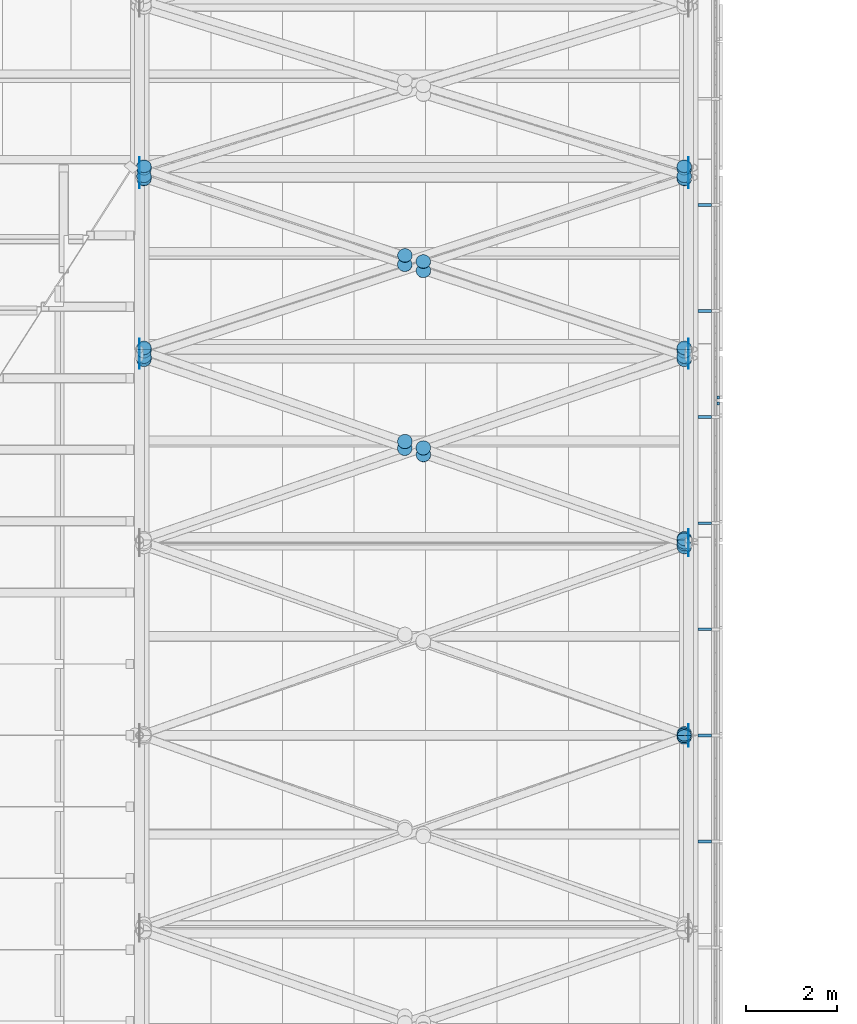
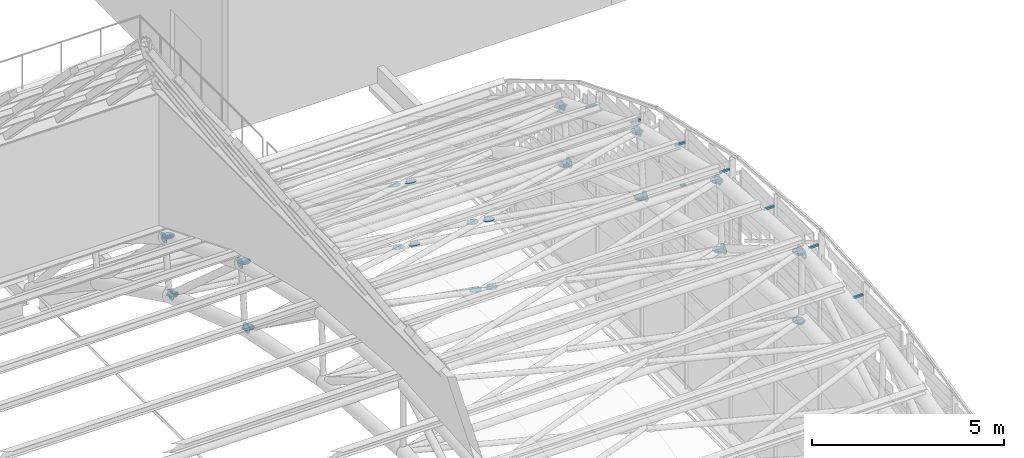
# One storey, part 100 of 110: 65 discrete accessories, 1 element without a shape of its own.
"""IFC4 building model written with IfcOpenShell, lengths in metres."""

from ifc_helpers import new_model, si_unit, direction, frame, origin, origin_2d, place, context, subcontext, project, spatial, rectangle, circle, extrude, material, layer, layer_set, type_object, element, aggregate, save


model = new_model("IFC4")

# Units and contexts
model_context = context("Model", 3, precision=1e-05, world=origin(), true_north=direction((0.0, 1.0)))
body_context = subcontext(model_context, "Body", "Model", "MODEL_VIEW")
ifc_project = project(units=[si_unit("LENGTHUNIT", "METRE"), si_unit("AREAUNIT", "SQUARE_METRE"), si_unit("VOLUMEUNIT", "CUBIC_METRE"), si_unit("PLANEANGLEUNIT", "RADIAN"), si_unit("MASSUNIT", "GRAM", prefix="KILO")], contexts=[model_context])

# Site, building, storey
site_placement = place(None, origin())
site = spatial("IfcSite", under=ifc_project, at=site_placement, CompositionType="ELEMENT")
building_placement = place(site_placement, origin())
building = spatial("IfcBuilding", under=site, at=building_placement, Name="Windward Yard Aquatics Centre", CompositionType="ELEMENT")
storey_placement = place(building_placement, frame((0.0, 0.0, 22.60009765625)))
storey = spatial("IfcBuildingStorey", under=building, at=storey_placement, Name="L05", CompositionType="ELEMENT", Elevation=22.60009765625)

# Discrete accessories
ifc_material_1 = material(Name="Steel S355", Category="steel")
ifc_layer_1 = layer(ifc_material_1, 0.011962890625)
ifc_layer_set_1 = layer_set([ifc_layer_1], Name="Gusset plate 320 mm disc 12 mm")
discrete_accessory_type = type_object("IfcDiscreteAccessoryType", Name="Gusset plate 320 mm disc 12 mm", PredefinedType="USERDEFINED", material=ifc_layer_set_1)
for number, where, z_axis, x_axis, name in (
    (1, (131.993896484375, 69.16943359375, 5.568603515625), (1.0, 0.0, 0.0), (0.0, 1.0, 0.0), "Gusset plate"),
    (2, (131.993896484375, 69.51220703125, 7.4306640625), (1.0, 0.0, 0.0), (0.0, 1.0, 0.0), "Gusset plate"),
    (3, (131.993896484375, 73.122314453125, 4.23291015625), (1.0, 0.0, 0.0), (0.0, 1.0, 0.0), "Gusset plate"),
    (4, (131.993896484375, 73.479736328125, 5.8291015625), (1.0, 0.0, 0.0), (0.0, 1.0, 0.0), "Gusset plate"),
    (5, (143.993896484375, 60.9140625, 8.74560546875), (1.0, 0.0, 0.0), (0.0, 1.0, 0.0), "Gusset plate"),
    (6, (143.993896484375, 61.0859375, 8.74560546875), (1.0, 0.0, 0.0), (0.0, 1.0, 0.0), "Gusset plate"),
    (7, (143.993896484375, 65.07470703125, 6.374755859375), (1.0, 0.0, 0.0), (0.0, 1.0, 0.0), "Gusset plate"),
    (8, (143.993896484375, 65.3486328125, 8.41015625), (1.0, 0.0, 0.0), (0.0, 1.0, 0.0), "Gusset plate"),
    (9, (143.993896484375, 69.16943359375, 5.568603515625), (1.0, 0.0, 0.0), (0.0, 1.0, 0.0), "Gusset plate"),
    (10, (143.993896484375, 69.51220703125, 7.4306640625), (1.0, 0.0, 0.0), (0.0, 1.0, 0.0), "Gusset plate"),
    (11, (143.993896484375, 73.122314453125, 4.23291015625), (1.0, 0.0, 0.0), (0.0, 1.0, 0.0), "Gusset plate"),
    (12, (143.993896484375, 73.479736328125, 5.8291015625), (1.0, 0.0, 0.0), (0.0, 1.0, 0.0), "Gusset plate"),
):
    element("IfcDiscreteAccessory", number, at=place(storey_placement, frame(where, z_axis=z_axis, x_axis=x_axis)), inside=storey, type_object=discrete_accessory_type, Name=name, ObjectType="GUSSET PLATE", PredefinedType="USERDEFINED", context=body_context, shape_type="SweptSolid", body=[
        extrude(circle(Radius=0.159912109375, at=origin_2d()), origin(), (0.0, 0.0, 1.0), 0.01220703125),
    ])
for number, where, z_axis, x_axis, name in (
    (13, (143.89990234375, 61.0, 8.790771484375), (0.0, 0.0, 1.0), (1.0, 0.0, 0.0), "Gusset plate"),
    (14, (143.89990234375, 65.2685546875, 8.4638671875), (0.0, 0.0, 1.0), (1.0, 0.0, 0.0), "Gusset plate"),
):
    element("IfcDiscreteAccessory", number, at=place(storey_placement, frame(where, z_axis=z_axis, x_axis=x_axis)), inside=storey, type_object=discrete_accessory_type, Name=name, ObjectType="GUSSET PLATE", PredefinedType="USERDEFINED", context=body_context, shape_type="SweptSolid", body=[
        extrude(circle(Radius=0.159912109375, at=origin_2d()), origin(), (0.0, 0.0, 1.0), 0.011962890625),
    ])
for number, where, z_axis, x_axis, name in (
    (15, (132.10009765625, 69.4375, 7.49072265625), (0.0, 0.0, 1.0), (1.0, 0.0, 0.0), "Gusset plate"),
    (16, (143.89990234375, 69.4375, 7.49072265625), (0.0, 0.0, 1.0), (1.0, 0.0, 0.0), "Gusset plate"),
):
    element("IfcDiscreteAccessory", number, at=place(storey_placement, frame(where, z_axis=z_axis, x_axis=x_axis)), inside=storey, type_object=discrete_accessory_type, Name=name, ObjectType="GUSSET PLATE", PredefinedType="USERDEFINED", context=body_context, shape_type="SweptSolid", body=[
        extrude(circle(Radius=0.159912109375, at=origin_2d()), origin(), (0.0, 0.0, 1.0), 0.01220703125),
    ])
for number, where, z_axis, x_axis, name in (
    (17, (132.10009765625, 73.40966796875, 5.89453125), (0.0, 0.0, 1.0), (1.0, 0.0, 0.0), "Gusset plate"),
    (18, (143.89990234375, 73.40966796875, 5.89453125), (0.0, 0.0, 1.0), (1.0, 0.0, 0.0), "Gusset plate"),
    (19, (143.90576171875, 60.966064453125, 8.800048828125), (0.0, 0.081362009455, -0.996684615823), (-1.0, 0.0, 0.0), "Gusset plate"),
    (20, (143.90576171875, 65.2353515625, 8.478271484375), (0.0, -0.06111006328, -0.998131033565), (1.0, 0.0, 0.0), "Gusset plate"),
    (21, (143.90576171875, 61.033935546875, 8.800048828125), (0.0, -0.081362009455, -0.996684615823), (1.0, 0.0, 0.0), "Gusset plate"),
    (22, (143.90576171875, 69.406005859375, 7.51025390625), (0.0, -0.223376156329, -0.974732318528), (1.0, 0.0, 0.0), "Gusset plate"),
    (23, (132.09423828125, 69.406005859375, 7.51025390625), (0.0, -0.223376156329, -0.974732318528), (1.0, 0.0, 0.0), "Gusset plate"),
    (24, (137.79931640625, 67.424072265625, 7.972900390625), (0.0, -0.223376156329, -0.974732318528), (1.0, 0.0, 0.0), "Gusset plate"),
    (25, (138.20068359375, 67.28466796875, 8.00537109375), (0.0, -0.223376156329, -0.974732318528), (1.0, 0.0, 0.0), "Gusset plate"),
    (26, (143.90576171875, 65.302490234375, 8.468017578125), (0.0, -0.223376156329, -0.974732318528), (1.0, 0.0, 0.0), "Gusset plate"),
):
    element("IfcDiscreteAccessory", number, at=place(storey_placement, frame(where, z_axis=z_axis, x_axis=x_axis)), inside=storey, type_object=discrete_accessory_type, Name=name, ObjectType="GUSSET PLATE", PredefinedType="USERDEFINED", context=body_context, shape_type="SweptSolid", body=[
        extrude(circle(Radius=0.159912109375, at=origin_2d()), origin(), (0.0, 0.0, 1.0), 0.011962890625),
    ])
discrete_accessory_1_placement = place(storey_placement, frame((132.09423828125, 69.470947265625, 7.489990234375), z_axis=(0.0, -0.38176015442, -0.92426142649), x_axis=(1.0, 0.0, 0.0)))
element("IfcDiscreteAccessory", 27, at=discrete_accessory_1_placement, inside=storey, type_object=discrete_accessory_type, Name="Gusset plate", ObjectType="GUSSET PLATE", PredefinedType="USERDEFINED", context=body_context, shape_type="SweptSolid", body=[
    extrude(circle(Radius=0.159912109375, at=origin_2d()), origin(), (0.0, 0.0, 1.0), 0.01220703125),
])
for number, where, z_axis, x_axis, name in (
    (28, (143.90576171875, 73.380615234375, 5.91845703125), (0.0, -0.371390676354, -0.928476690885), (1.0, 0.0, 0.0), "Gusset plate"),
    (29, (132.09423828125, 73.380615234375, 5.91845703125), (0.0, -0.371390676354, -0.928476690885), (1.0, 0.0, 0.0), "Gusset plate"),
    (30, (137.79931640625, 71.4921875, 6.677490234375), (0.0, -0.371390676354, -0.928476690885), (1.0, 0.0, 0.0), "Gusset plate"),
):
    element("IfcDiscreteAccessory", number, at=place(storey_placement, frame(where, z_axis=z_axis, x_axis=x_axis)), inside=storey, type_object=discrete_accessory_type, Name=name, ObjectType="GUSSET PLATE", PredefinedType="USERDEFINED", context=body_context, shape_type="SweptSolid", body=[
        extrude(circle(Radius=0.159912109375, at=origin_2d()), origin(), (0.0, 0.0, 1.0), 0.01171875),
    ])
discrete_accessory_2_placement = place(storey_placement, frame((138.20068359375, 71.359375, 6.73095703125), z_axis=(0.0, -0.364399348581, -0.931242779706), x_axis=(1.0, 0.0, 0.0)))
element("IfcDiscreteAccessory", 31, at=discrete_accessory_2_placement, inside=storey, type_object=discrete_accessory_type, Name="Gusset plate", ObjectType="GUSSET PLATE", PredefinedType="USERDEFINED", context=body_context, shape_type="SweptSolid", body=[
    extrude(circle(Radius=0.159912109375, at=origin_2d()), origin(), (0.0, 0.0, 1.0), 0.011962890625),
])
discrete_accessory_3_placement = place(storey_placement, frame((143.90576171875, 69.470947265625, 7.489990234375), z_axis=(0.0, -0.38176015442, -0.92426142649), x_axis=(1.0, 0.0, 0.0)))
element("IfcDiscreteAccessory", 32, at=discrete_accessory_3_placement, inside=storey, type_object=discrete_accessory_type, Name="Gusset plate", ObjectType="GUSSET PLATE", PredefinedType="USERDEFINED", context=body_context, shape_type="SweptSolid", body=[
    extrude(circle(Radius=0.159912109375, at=origin_2d()), origin(), (0.0, 0.0, 1.0), 0.01220703125),
])
for number, where, z_axis, x_axis, name in (
    (33, (132.09423828125, 73.441650390625, 5.888427734375), (0.0, -0.511483859768, -0.85929288441), (1.0, 0.0, 0.0), "Gusset plate"),
    (34, (143.90576171875, 73.441650390625, 5.888427734375), (0.0, -0.511483859768, -0.85929288441), (1.0, 0.0, 0.0), "Gusset plate"),
    (35, (143.89990234375, 61.0, 6.5908203125), (0.0, 0.0, 1.0), (1.0, 0.0, 0.0), "Gusset plate"),
    (36, (143.89990234375, 65.16064453125, 6.317626953125), (0.0, 0.0, 1.0), (1.0, 0.0, 0.0), "Gusset plate"),
    (37, (132.10009765625, 69.249755859375, 5.5029296875), (0.0, 0.0, 1.0), (1.0, 0.0, 0.0), "Gusset plate"),
    (38, (143.89990234375, 69.249755859375, 5.5029296875), (0.0, 0.0, 1.0), (1.0, 0.0, 0.0), "Gusset plate"),
):
    element("IfcDiscreteAccessory", number, at=place(storey_placement, frame(where, z_axis=z_axis, x_axis=x_axis)), inside=storey, type_object=discrete_accessory_type, Name=name, ObjectType="GUSSET PLATE", PredefinedType="USERDEFINED", context=body_context, shape_type="SweptSolid", body=[
        extrude(circle(Radius=0.159912109375, at=origin_2d()), origin(), (0.0, 0.0, 1.0), 0.011962890625),
    ])
for number, where, z_axis, x_axis, name in (
    (39, (132.10009765625, 73.197265625, 4.160400390625), (0.0, 0.0, 1.0), (1.0, 0.0, 0.0), "Gusset plate"),
    (40, (143.89990234375, 73.197265625, 4.160400390625), (0.0, 0.0, 1.0), (1.0, 0.0, 0.0), "Gusset plate"),
):
    element("IfcDiscreteAccessory", number, at=place(storey_placement, frame(where, z_axis=z_axis, x_axis=x_axis)), inside=storey, type_object=discrete_accessory_type, Name=name, ObjectType="GUSSET PLATE", PredefinedType="USERDEFINED", context=body_context, shape_type="SweptSolid", body=[
        extrude(circle(Radius=0.159912109375, at=origin_2d()), origin(), (0.0, 0.0, 1.0), 0.01220703125),
    ])
for number, where, z_axis, x_axis, name in (
    (41, (143.905517578125, 60.966796875, 6.6005859375), (0.0, 0.06111006328, -0.998131033565), (-1.0, 0.0, 0.0), "Gusset plate"),
    (42, (143.905517578125, 65.128173828125, 6.331787109375), (0.0, -0.06111006328, -0.998131033565), (1.0, 0.0, 0.0), "Gusset plate"),
    (43, (143.905517578125, 61.033203125, 6.6005859375), (0.0, -0.06111006328, -0.998131033565), (1.0, 0.0, 0.0), "Gusset plate"),
):
    element("IfcDiscreteAccessory", number, at=place(storey_placement, frame(where, z_axis=z_axis, x_axis=x_axis)), inside=storey, type_object=discrete_accessory_type, Name=name, ObjectType="GUSSET PLATE", PredefinedType="USERDEFINED", context=body_context, shape_type="SweptSolid", body=[
        extrude(circle(Radius=0.159912109375, at=origin_2d()), origin(), (0.0, 0.0, 1.0), 0.011962890625),
    ])
for number, where, z_axis, x_axis, name in (
    (44, (143.905517578125, 69.21875, 5.521240234375), (0.0, -0.199960011996, -0.97980405878), (1.0, 0.0, 0.0), "Gusset plate"),
    (45, (132.094482421875, 69.21875, 5.521240234375), (0.0, -0.199960011996, -0.97980405878), (1.0, 0.0, 0.0), "Gusset plate"),
):
    element("IfcDiscreteAccessory", number, at=place(storey_placement, frame(where, z_axis=z_axis, x_axis=x_axis)), inside=storey, type_object=discrete_accessory_type, Name=name, ObjectType="GUSSET PLATE", PredefinedType="USERDEFINED", context=body_context, shape_type="SweptSolid", body=[
        extrude(circle(Radius=0.159912109375, at=origin_2d()), origin(), (0.0, 0.0, 1.0), 0.01220703125),
    ])
discrete_accessory_4_placement = place(storey_placement, frame((137.796142578125, 67.275634765625, 5.908203125), z_axis=(0.0, -0.18428853505, -0.982872186934), x_axis=(1.0, 0.0, 0.0)))
element("IfcDiscreteAccessory", 46, at=discrete_accessory_4_placement, inside=storey, type_object=discrete_accessory_type, Name="Gusset plate", ObjectType="GUSSET PLATE", PredefinedType="USERDEFINED", context=body_context, shape_type="SweptSolid", body=[
    extrude(circle(Radius=0.159912109375, at=origin_2d()), origin(), (0.0, 0.0, 1.0), 0.011962890625),
])
discrete_accessory_5_placement = place(storey_placement, frame((138.203857421875, 67.136962890625, 5.93603515625), z_axis=(0.0, -0.199960011996, -0.97980405878), x_axis=(1.0, 0.0, 0.0)))
element("IfcDiscreteAccessory", 47, at=discrete_accessory_5_placement, inside=storey, type_object=discrete_accessory_type, Name="Gusset plate", ObjectType="GUSSET PLATE", PredefinedType="USERDEFINED", context=body_context, shape_type="SweptSolid", body=[
    extrude(circle(Radius=0.159912109375, at=origin_2d()), origin(), (0.0, 0.0, 1.0), 0.01220703125),
])
for number, where, z_axis, x_axis, name in (
    (48, (143.905517578125, 65.19384765625, 6.322998046875), (0.0, -0.18428853505, -0.982872186934), (1.0, 0.0, 0.0), "Gusset plate"),
    (49, (132.094482421875, 69.28271484375, 5.50390625), (0.0, -0.328520624941, -0.944496796706), (1.0, 0.0, 0.0), "Gusset plate"),
    (50, (143.905517578125, 73.16796875, 4.182861328125), (0.0, -0.304040173793, -0.952659211219), (1.0, 0.0, 0.0), "Gusset plate"),
    (51, (132.094482421875, 73.16796875, 4.182861328125), (0.0, -0.304040173793, -0.952659211219), (1.0, 0.0, 0.0), "Gusset plate"),
    (52, (137.796142578125, 71.29248046875, 4.820556640625), (0.0, -0.328520624941, -0.944496796706), (1.0, 0.0, 0.0), "Gusset plate"),
):
    element("IfcDiscreteAccessory", number, at=place(storey_placement, frame(where, z_axis=z_axis, x_axis=x_axis)), inside=storey, type_object=discrete_accessory_type, Name=name, ObjectType="GUSSET PLATE", PredefinedType="USERDEFINED", context=body_context, shape_type="SweptSolid", body=[
        extrude(circle(Radius=0.159912109375, at=origin_2d()), origin(), (0.0, 0.0, 1.0), 0.011962890625),
    ])
discrete_accessory_6_placement = place(storey_placement, frame((138.203857421875, 71.158447265625, 4.8662109375), z_axis=(0.0, -0.322263797804, -0.94664990605), x_axis=(1.0, 0.0, 0.0)))
element("IfcDiscreteAccessory", 53, at=discrete_accessory_6_placement, inside=storey, type_object=discrete_accessory_type, Name="Gusset plate", ObjectType="GUSSET PLATE", PredefinedType="USERDEFINED", context=body_context, shape_type="SweptSolid", body=[
    extrude(circle(Radius=0.159912109375, at=origin_2d()), origin(), (0.0, 0.0, 1.0), 0.01220703125),
])
discrete_accessory_7_placement = place(storey_placement, frame((143.905517578125, 69.28271484375, 5.50390625), z_axis=(0.0, -0.328520624941, -0.944496796706), x_axis=(1.0, 0.0, 0.0)))
element("IfcDiscreteAccessory", 54, at=discrete_accessory_7_placement, inside=storey, type_object=discrete_accessory_type, Name="Gusset plate", ObjectType="GUSSET PLATE", PredefinedType="USERDEFINED", context=body_context, shape_type="SweptSolid", body=[
    extrude(circle(Radius=0.159912109375, at=origin_2d()), origin(), (0.0, 0.0, 1.0), 0.011962890625),
])
for number, where, z_axis, x_axis, name in (
    (55, (132.094482421875, 73.229248046875, 4.157470703125), (0.0, -0.439210132005, -0.898384360919), (1.0, 0.0, 0.0), "Gusset plate"),
    (56, (143.905517578125, 73.229248046875, 4.157470703125), (0.0, -0.439210132005, -0.898384360919), (1.0, 0.0, 0.0), "Gusset plate"),
):
    element("IfcDiscreteAccessory", number, at=place(storey_placement, frame(where, z_axis=z_axis, x_axis=x_axis)), inside=storey, type_object=discrete_accessory_type, Name=name, ObjectType="GUSSET PLATE", PredefinedType="USERDEFINED", context=body_context, shape_type="SweptSolid", body=[
        extrude(circle(Radius=0.159912109375, at=origin_2d()), origin(), (0.0, 0.0, 1.0), 0.01220703125),
    ])

# Curtain wall, discrete accessories
ifc_material_2 = material(Name="Glass and aluminium curtain wall", Category="aluminium")
ifc_layer_2 = layer(ifc_material_2, 0.179931640625)
ifc_layer_set_2 = layer_set([ifc_layer_2], Name="H gable glazing system double glazed 8+16+8")
curtain_wall_type = type_object("IfcCurtainWallType", Name="H gable glazing system double glazed 8+16+8", PredefinedType="NOTDEFINED", material=ifc_layer_set_2)
curtain_wall_placement = place(storey_placement, origin())
curtain_wall = element("IfcCurtainWall", 57, at=curtain_wall_placement, inside=storey, type_object=curtain_wall_type, Name="Gable glazing E", PredefinedType="NOTDEFINED")
discrete_accessory_8_placement = place(storey_placement, frame((144.62255859375, 68.25341796875, 6.25), z_axis=(1.0, 0.0, 0.0), x_axis=(0.0, 1.0, 0.0)))
discrete_accessory_8 = element("IfcDiscreteAccessory", 58, at=discrete_accessory_8_placement, Name="Gable cover strip bracket 7.3", PredefinedType="BRACKET", context=body_context, shape_type="SweptSolid", body=[
    extrude(rectangle(XDim=0.06005859375, YDim=0.06005859375, at=origin_2d()), origin(), (0.0, 0.0, 1.0), 0.057373046875),
])
discrete_accessory_9_placement = place(storey_placement, frame((144.62255859375, 68.3876953125, 6.14990234375), z_axis=(1.0, 0.0, 0.0), x_axis=(0.0, 1.0, 0.0)))
discrete_accessory_9 = element("IfcDiscreteAccessory", 59, at=discrete_accessory_9_placement, Name="Gable cover strip bracket 7.4", PredefinedType="BRACKET", context=body_context, shape_type="SweptSolid", body=[
    extrude(rectangle(XDim=0.06005859375, YDim=0.06005859375, at=origin_2d()), origin(), (0.0, 0.0, 1.0), 0.057373046875),
])
discrete_accessory_10_placement = place(storey_placement, frame((144.203125, 58.6806640625, 8.619140625), z_axis=(1.0, 0.0, 0.0), x_axis=(0.0, 1.0, 0.0)))
discrete_accessory_10 = element("IfcDiscreteAccessory", 60, at=discrete_accessory_10_placement, Name="Gable glazing bracket 9", PredefinedType="BRACKET", context=body_context, shape_type="SweptSolid", body=[
    extrude(rectangle(XDim=0.06005859375, YDim=0.06005859375, at=origin_2d()), origin(), (0.0, 0.0, 1.0), 0.296875),
])
discrete_accessory_11_placement = place(storey_placement, frame((144.203125, 61.0, 8.796630859375), z_axis=(1.0, 0.0, 0.0), x_axis=(0.0, 1.0, 0.0)))
discrete_accessory_11 = element("IfcDiscreteAccessory", 61, at=discrete_accessory_11_placement, Name="Gable glazing bracket 10", PredefinedType="BRACKET", context=body_context, shape_type="SweptSolid", body=[
    extrude(rectangle(XDim=0.06005859375, YDim=0.06005859375, at=origin_2d()), origin(), (0.0, 0.0, 1.0), 0.296875),
])
discrete_accessory_12_placement = place(storey_placement, frame((144.203125, 63.3193359375, 8.619140625), z_axis=(1.0, 0.0, 0.0), x_axis=(0.0, 1.0, 0.0)))
discrete_accessory_12 = element("IfcDiscreteAccessory", 62, at=discrete_accessory_12_placement, Name="Gable glazing bracket 11", PredefinedType="BRACKET", context=body_context, shape_type="SweptSolid", body=[
    extrude(rectangle(XDim=0.06005859375, YDim=0.06005859375, at=origin_2d()), origin(), (0.0, 0.0, 1.0), 0.296875),
])
discrete_accessory_13_placement = place(storey_placement, frame((144.203125, 65.638427734375, 8.383544921875), z_axis=(1.0, 0.0, 0.0), x_axis=(0.0, 1.0, 0.0)))
discrete_accessory_13 = element("IfcDiscreteAccessory", 63, at=discrete_accessory_13_placement, Name="Gable glazing bracket 12", PredefinedType="BRACKET", context=body_context, shape_type="SweptSolid", body=[
    extrude(rectangle(XDim=0.06005859375, YDim=0.06005859375, at=origin_2d()), origin(), (0.0, 0.0, 1.0), 0.296875),
])
discrete_accessory_14_placement = place(storey_placement, frame((144.203125, 67.957763671875, 7.84228515625), z_axis=(1.0, 0.0, 0.0), x_axis=(0.0, 1.0, 0.0)))
discrete_accessory_14 = element("IfcDiscreteAccessory", 64, at=discrete_accessory_14_placement, Name="Gable glazing bracket 13", PredefinedType="BRACKET", context=body_context, shape_type="SweptSolid", body=[
    extrude(rectangle(XDim=0.06005859375, YDim=0.06005859375, at=origin_2d()), origin(), (0.0, 0.0, 1.0), 0.296875),
])
discrete_accessory_15_placement = place(storey_placement, frame((144.203125, 70.27685546875, 7.159423828125), z_axis=(1.0, 0.0, 0.0), x_axis=(0.0, 1.0, 0.0)))
discrete_accessory_15 = element("IfcDiscreteAccessory", 65, at=discrete_accessory_15_placement, Name="Gable glazing bracket 14", PredefinedType="BRACKET", context=body_context, shape_type="SweptSolid", body=[
    extrude(rectangle(XDim=0.06005859375, YDim=0.06005859375, at=origin_2d()), origin(), (0.0, 0.0, 1.0), 0.296875),
])
discrete_accessory_16_placement = place(storey_placement, frame((144.203125, 72.59619140625, 6.227294921875), z_axis=(1.0, 0.0, 0.0), x_axis=(0.0, 1.0, 0.0)))
discrete_accessory_16 = element("IfcDiscreteAccessory", 66, at=discrete_accessory_16_placement, Name="Gable glazing bracket 15", PredefinedType="BRACKET", context=body_context, shape_type="SweptSolid", body=[
    extrude(rectangle(XDim=0.06005859375, YDim=0.06005859375, at=origin_2d()), origin(), (0.0, 0.0, 1.0), 0.296875),
])
aggregate(curtain_wall, [discrete_accessory_8, discrete_accessory_9, discrete_accessory_10, discrete_accessory_11, discrete_accessory_12, discrete_accessory_13, discrete_accessory_14, discrete_accessory_15, discrete_accessory_16])

save(model, "model.ifc")
